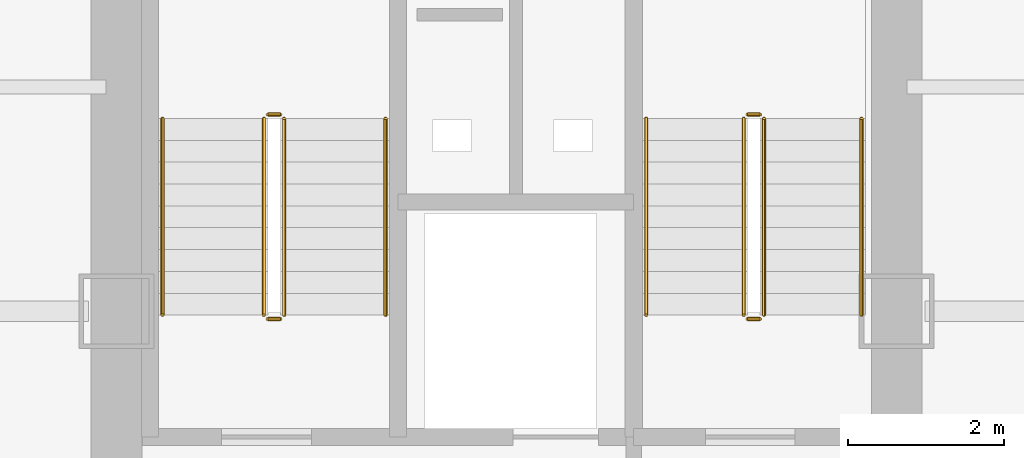
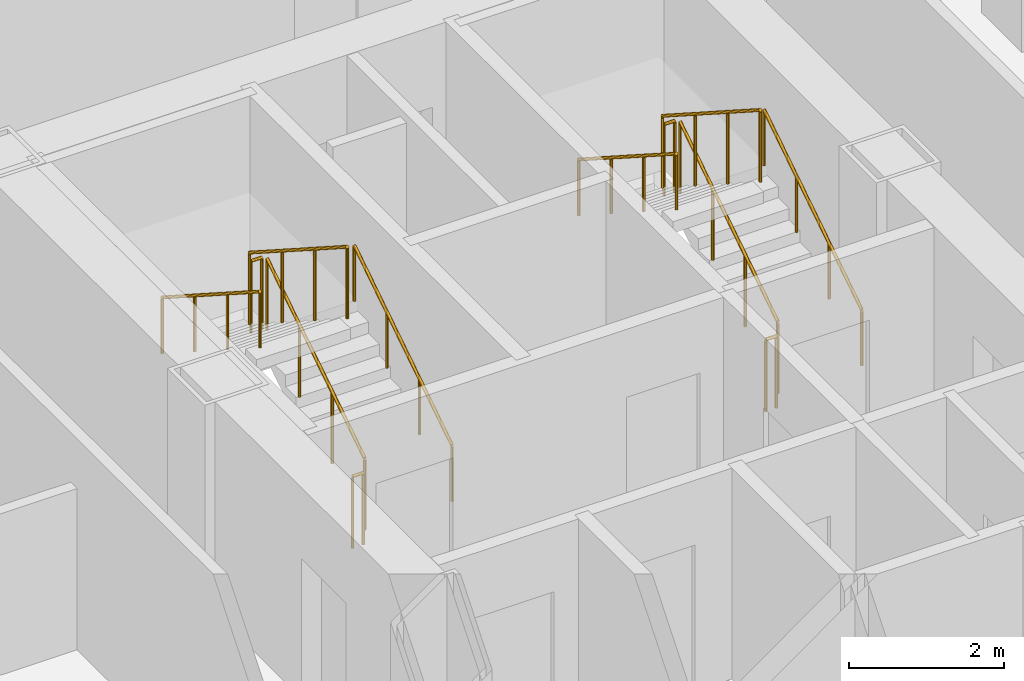
# One storey, part 21 of 22: 12 railings.
"""IFC4 building model written with IfcOpenShell, lengths in metres."""

import ifcopenshell
import ifcopenshell.guid

model = None  # the IFC model being written
_history = None  # IfcOwnerHistory: only IFC2X3 demands one
_inside = {}  # id of a spatial element -> (the spatial element, [elements in it])
_under = {}  # id of a project, library or spatial element -> (it, [spatial elements below it])
_declared = {}  # id of a project -> (the project, [libraries it declares])
_typed = {}  # id of a type object -> (the type object, [elements of that type])
_made_of = {}  # id of a material, layer set ... -> (it, [elements and type objects made of it])


def new_model(schema):
    """Start an empty IFC model of exactly this schema.

    Asked for "IFC4X3", IfcOpenShell would pick the latest addendum, in which some entities
    have other attributes; the version numbers below select the first issue.
    IFC2X3 requires an IfcOwnerHistory on every rooted entity: one is made here for all.
    """
    global model, _history
    if schema == "IFC4X3":
        model = ifcopenshell.file(schema_version=(4, 3, 0, 0))
    else:
        model = ifcopenshell.file(schema=schema)
    _inside.clear()
    _under.clear()
    _declared.clear()
    _typed.clear()
    _made_of.clear()
    _history = None
    if model.schema == "IFC2X3":
        org = make("IfcOrganization", Name="unknown")
        user = make(
            "IfcPersonAndOrganization",
            ThePerson=make("IfcPerson", FamilyName="unknown"),
            TheOrganization=org,
        )
        app = make(
            "IfcApplication",
            ApplicationDeveloper=org,
            Version="unknown",
            ApplicationFullName="unknown",
            ApplicationIdentifier="unknown",
        )
        _history = make(
            "IfcOwnerHistory",
            OwningUser=user,
            OwningApplication=app,
            ChangeAction="ADDED",
            CreationDate=0,
        )
    return model


def make(cls, **values):
    """One entity of the class cls with the attributes given. An attribute that is None is left unset."""
    return model.create_entity(
        cls, **{name: value for name, value in values.items() if value is not None}
    )


def rooted(cls, **values):
    """An entity with a GlobalId (a new one), such as an element, a storey or a relation."""
    return make(cls, GlobalId=ifcopenshell.guid.new(), OwnerHistory=_history, **values)


def si_unit(unit_type, name, prefix=None):
    """IfcSIUnit, for example si_unit("LENGTHUNIT", "METRE", prefix="MILLI")."""
    return make("IfcSIUnit", UnitType=unit_type, Prefix=prefix, Name=name)


def assignment(units):
    """IfcUnitAssignment: the units of a project."""
    return None if units is None else make("IfcUnitAssignment", Units=units)


def point(xyz):
    """IfcCartesianPoint."""
    return None if xyz is None else make("IfcCartesianPoint", Coordinates=xyz)


def direction(xyz):
    """IfcDirection."""
    return None if xyz is None else make("IfcDirection", DirectionRatios=xyz)


def frame(location, z_axis=None, x_axis=None):
    """IfcAxis2Placement3D, a coordinate frame: its origin and axes. An axis left out is left unset."""
    return make(
        "IfcAxis2Placement3D",
        Location=point(location),
        Axis=direction(z_axis),
        RefDirection=direction(x_axis),
    )


def frame_2d(location, x_axis=None):
    """IfcAxis2Placement2D, a coordinate frame in the plane: its origin and x axis."""
    return make(
        "IfcAxis2Placement2D", Location=point(location), RefDirection=direction(x_axis)
    )


def origin():
    """The frame at (0, 0, 0) with its axes left unset."""
    return frame((0.0, 0.0, 0.0))


def origin_2d():
    """The frame at (0, 0) in the plane with its x axis left unset."""
    return frame_2d((0.0, 0.0))


def place(relative_to, where):
    """IfcLocalPlacement: puts the frame where relative to a parent placement (None: the world)."""
    return make(
        "IfcLocalPlacement", PlacementRelTo=relative_to, RelativePlacement=where
    )


def context(
    kind, dimensions, precision=None, world=None, true_north=None, identifier=None
):
    """IfcGeometricRepresentationContext, for example the 3D "Model" context."""
    return make(
        "IfcGeometricRepresentationContext",
        ContextIdentifier=identifier,
        ContextType=kind,
        CoordinateSpaceDimension=dimensions,
        Precision=precision,
        WorldCoordinateSystem=world,
        TrueNorth=true_north,
    )


def subcontext(parent, identifier, kind, view, scale=None):
    """IfcGeometricRepresentationSubContext, for example "Body" below "Model"."""
    return make(
        "IfcGeometricRepresentationSubContext",
        ContextIdentifier=identifier,
        ContextType=kind,
        ParentContext=parent,
        TargetScale=scale,
        TargetView=view,
    )


def project(units=None, contexts=None):
    """IfcProject with its units and contexts."""
    return rooted(
        "IfcProject",
        Name="project",
        RepresentationContexts=contexts,
        UnitsInContext=assignment(units),
    )


def spatial(cls, under=None, at=None, **own):
    """A site, building, storey or space (cls), placed at a placement, below another one or the project."""
    s = rooted(cls, ObjectPlacement=at, **own)
    if under is not None:
        _under.setdefault(under.id(), (under, []))[1].append(s)
    return s


def profile(cls, at=None, kind="AREA", **sizes):
    """A parametric profile (cls). Its sizes go by their IFC names, for example OverallWidth=200.0."""
    return make(cls, ProfileType=kind, Position=at, **sizes)


def circle(**sizes):
    """IfcCircleProfileDef."""
    return profile("IfcCircleProfileDef", **sizes)


def extrude(swept, where, along, depth):
    """IfcExtrudedAreaSolid: the profile swept, set in the frame where, extruded along a direction by depth."""
    return make(
        "IfcExtrudedAreaSolid",
        SweptArea=swept,
        Position=where,
        ExtrudedDirection=direction(along),
        Depth=depth,
    )


def shape(context_of_items, identifier, shape_type, items):
    """IfcShapeRepresentation: the items that make up one representation, for example the "Body"."""
    return make(
        "IfcShapeRepresentation",
        ContextOfItems=context_of_items,
        RepresentationIdentifier=identifier,
        RepresentationType=shape_type,
        Items=items,
    )


def material(Name=None, Category=None):
    """IfcMaterial."""
    return make("IfcMaterial", Name=Name, Category=Category)


def made_of(thing, what):
    """Note that an element or type object is made of a material, layer set ...; save() writes the relation."""
    if what is not None:
        _made_of.setdefault(what.id(), (what, []))[1].append(thing)
    return thing


def type_object(cls, material=None, **own):
    """A type object (cls), such as IfcWallType, which elements share."""
    return made_of(rooted(cls, **own), material)


def element(
    cls,
    number,
    at=None,
    inside=None,
    cuts=None,
    type_object=None,
    material=None,
    context=None,
    identifier="Body",
    shape_type=None,
    held_by="IfcProductDefinitionShape",
    body=None,
    shapes=None,
    **own,
):
    """One element of the class cls, such as IfcWall. Its Tag is "e" and its number.

    at: its placement. inside: the storey or other place that contains it. cuts: it is an
    opening in that element (IfcRelVoidsElement). A single representation is given by context,
    identifier, shape_type and body (its items); several are given by shapes. held_by: the class
    of the entity that holds the representations. save() writes the other relations.
    """
    e = rooted(cls, Tag="e%d" % number, ObjectPlacement=at, **own)
    if body is not None:
        shapes = [shape(context, identifier, shape_type, body)]
    if shapes is not None:
        e.Representation = make(held_by, Representations=shapes)
    if inside is not None:
        _inside.setdefault(inside.id(), (inside, []))[1].append(e)
    if cuts is not None:
        rooted(
            "IfcRelVoidsElement", RelatingBuildingElement=cuts, RelatedOpeningElement=e
        )
    if type_object is not None:
        _typed.setdefault(type_object.id(), (type_object, []))[1].append(e)
    return made_of(e, material)


def aggregate(whole, parts):
    """IfcRelAggregates: a whole, such as a stair, and the parts it consists of."""
    return rooted("IfcRelAggregates", RelatingObject=whole, RelatedObjects=parts)


def save(model, path):
    """Write the relations noted so far, then the file.

    IfcRelAggregates (storeys below a building ...), IfcRelContainedInSpatialStructure (elements
    in a storey), IfcRelDefinesByType, IfcRelAssociatesMaterial and IfcRelDeclares: one each for
    every whole, place, type object, material and project.
    """
    for whole, parts in _under.values():
        aggregate(whole, parts)
    for where, things in _inside.values():
        rooted(
            "IfcRelContainedInSpatialStructure",
            RelatedElements=things,
            RelatingStructure=where,
        )
    for kind, things in _typed.values():
        rooted("IfcRelDefinesByType", RelatedObjects=things, RelatingType=kind)
    for what, things in _made_of.values():
        rooted("IfcRelAssociatesMaterial", RelatedObjects=things, RelatingMaterial=what)
    for by, libraries in _declared.values():
        rooted("IfcRelDeclares", RelatingContext=by, RelatedDefinitions=libraries)
    model.write(path)


model = new_model("IFC4")

# Units and contexts
model_context = context("Model", 3, precision=1e-05, world=origin(), true_north=direction((0.0, 1.0)))
body_context = subcontext(model_context, "Body", "Model", "MODEL_VIEW")
ifc_project = project(units=[si_unit("LENGTHUNIT", "METRE"), si_unit("AREAUNIT", "SQUARE_METRE"), si_unit("VOLUMEUNIT", "CUBIC_METRE"), si_unit("PLANEANGLEUNIT", "RADIAN"), si_unit("MASSUNIT", "GRAM", prefix="KILO")], contexts=[model_context])

# Site, building, storey
site_placement = place(None, origin())
site = spatial("IfcSite", under=ifc_project, at=site_placement, CompositionType="ELEMENT")
building_placement = place(site_placement, origin())
building = spatial("IfcBuilding", under=site, at=building_placement, Name="Kolveth Station Tower", CompositionType="ELEMENT")
storey_placement = place(building_placement, frame((0.0, 0.0, 81.0)))
storey = spatial("IfcBuildingStorey", under=building, at=storey_placement, Name="L21", CompositionType="ELEMENT", Elevation=81.0)

# Railings
ifc_material_1 = material(Name="Painted Steel S355 balustrade", Category="steel")
railing_type_1 = type_object("IfcRailingType", Name="Guard_GR2", PredefinedType="BALUSTRADE", material=ifc_material_1)
railing_1_placement = place(storey_placement, frame((20.64990234375, 22.949951171875, 0.179931640625)))
element("IfcRailing", 1, at=railing_1_placement, inside=storey, type_object=railing_type_1, Name="L21 ST1 stair guard 1", PredefinedType="BALUSTRADE", context=body_context, shape_type="SweptSolid", body=[
    extrude(circle(Radius=0.02392578125, at=origin_2d()), frame((0.0, 0.0, 1.1259765625), z_axis=(0.0, 0.841162588446, 0.540782303519), x_axis=(-1.0, 0.0, 0.0)), (0.0, 0.0, 1.0), 2.995849609375),
    extrude(circle(Radius=0.02099609375, at=origin_2d()), origin(), (0.0, 0.0, 1.0), 1.101806640625),
    extrude(circle(Radius=0.02099609375, at=origin_2d()), frame((0.0, 0.840087890625, 0.5400390625)), (0.0, 0.0, 1.0), 1.101806640625),
    extrude(circle(Radius=0.02099609375, at=origin_2d()), frame((0.0, 1.679931640625, 1.080078125)), (0.0, 0.0, 1.0), 1.101806640625),
    extrude(circle(Radius=0.02099609375, at=origin_2d()), frame((0.0, 2.52001953125, 1.6201171875)), (0.0, 0.0, 1.0), 1.101806640625),
])
railing_2_placement = place(storey_placement, frame((20.60009765625, 25.52001953125, 1.800048828125)))
element("IfcRailing", 2, at=railing_2_placement, inside=storey, type_object=railing_type_1, Name="L21 ST1 stair guard 2", PredefinedType="BALUSTRADE", context=body_context, shape_type="SweptSolid", body=[
    extrude(circle(Radius=0.02392578125, at=origin_2d()), frame((0.0, 0.0, 1.1259765625), z_axis=(-1.0, 0.0, 0.0), x_axis=(0.0, -1.0, 0.0)), (0.0, 0.0, 1.0), 0.16015625),
    extrude(circle(Radius=0.02099609375, at=origin_2d()), origin(), (0.0, 0.0, 1.0), 1.101806640625),
    extrude(circle(Radius=0.02099609375, at=origin_2d()), frame((-0.16015625, 0.0, 0.0)), (0.0, 0.0, 1.0), 1.101806640625),
])
railing_3_placement = place(storey_placement, frame((20.389892578125, 25.469970703125, 1.97998046875)))
element("IfcRailing", 3, at=railing_3_placement, inside=storey, type_object=railing_type_1, Name="L21 ST1 stair guard 3", PredefinedType="BALUSTRADE", context=body_context, shape_type="SweptSolid", body=[
    extrude(circle(Radius=0.02392578125, at=origin_2d()), frame((0.0, 0.0, 1.1259765625), z_axis=(0.0, -0.841162588446, 0.540782303519), x_axis=(1.0, 0.0, 0.0)), (0.0, 0.0, 1.0), 2.995849609375),
    extrude(circle(Radius=0.02099609375, at=origin_2d()), origin(), (0.0, 0.0, 1.0), 1.101806640625),
    extrude(circle(Radius=0.02099609375, at=origin_2d()), frame((0.0, -0.840087890625, 0.5400390625)), (0.0, 0.0, 1.0), 1.101806640625),
    extrude(circle(Radius=0.02099609375, at=origin_2d()), frame((0.0, -1.679931640625, 1.080078125)), (0.0, 0.0, 1.0), 1.101806640625),
    extrude(circle(Radius=0.02099609375, at=origin_2d()), frame((0.0, -2.52001953125, 1.6201171875)), (0.0, 0.0, 1.0), 1.101806640625),
])
railing_4_placement = place(storey_placement, frame((20.60009765625, 22.89990234375, 0.0)))
element("IfcRailing", 4, at=railing_4_placement, inside=storey, type_object=railing_type_1, Name="L21 ST1 stair guard 4", PredefinedType="BALUSTRADE", context=body_context, shape_type="SweptSolid", body=[
    extrude(circle(Radius=0.02392578125, at=origin_2d()), frame((0.0, 0.0, 1.1259765625), z_axis=(-1.0, 0.0, 0.0), x_axis=(0.0, -1.0, 0.0)), (0.0, 0.0, 1.0), 0.16015625),
    extrude(circle(Radius=0.02099609375, at=origin_2d()), origin(), (0.0, 0.0, 1.0), 1.101806640625),
    extrude(circle(Radius=0.02099609375, at=origin_2d()), frame((-0.16015625, 0.0, 0.0)), (0.0, 0.0, 1.0), 1.101806640625),
])
railing_5_placement = place(storey_placement, frame((26.800048828125, 22.949951171875, 0.179931640625)))
element("IfcRailing", 5, at=railing_5_placement, inside=storey, type_object=railing_type_1, Name="L21 ST2 stair guard 1", PredefinedType="BALUSTRADE", context=body_context, shape_type="SweptSolid", body=[
    extrude(circle(Radius=0.02392578125, at=origin_2d()), frame((0.0, 0.0, 1.1259765625), z_axis=(0.0, 0.841162588446, 0.540782303519), x_axis=(-1.0, 0.0, 0.0)), (0.0, 0.0, 1.0), 2.995849609375),
    extrude(circle(Radius=0.02099609375, at=origin_2d()), origin(), (0.0, 0.0, 1.0), 1.101806640625),
    extrude(circle(Radius=0.02099609375, at=origin_2d()), frame((0.0, 0.840087890625, 0.5400390625)), (0.0, 0.0, 1.0), 1.101806640625),
    extrude(circle(Radius=0.02099609375, at=origin_2d()), frame((0.0, 1.679931640625, 1.080078125)), (0.0, 0.0, 1.0), 1.101806640625),
    extrude(circle(Radius=0.02099609375, at=origin_2d()), frame((0.0, 2.52001953125, 1.6201171875)), (0.0, 0.0, 1.0), 1.101806640625),
])
railing_6_placement = place(storey_placement, frame((26.75, 25.52001953125, 1.800048828125)))
element("IfcRailing", 6, at=railing_6_placement, inside=storey, type_object=railing_type_1, Name="L21 ST2 stair guard 2", PredefinedType="BALUSTRADE", context=body_context, shape_type="SweptSolid", body=[
    extrude(circle(Radius=0.02392578125, at=origin_2d()), frame((0.0, 0.0, 1.1259765625), z_axis=(-1.0, 0.0, 0.0), x_axis=(0.0, -1.0, 0.0)), (0.0, 0.0, 1.0), 0.159912109375),
    extrude(circle(Radius=0.02099609375, at=origin_2d()), origin(), (0.0, 0.0, 1.0), 1.101806640625),
    extrude(circle(Radius=0.02099609375, at=origin_2d()), frame((-0.159912109375, 0.0, 0.0)), (0.0, 0.0, 1.0), 1.101806640625),
])
railing_7_placement = place(storey_placement, frame((26.5400390625, 25.469970703125, 1.97998046875)))
element("IfcRailing", 7, at=railing_7_placement, inside=storey, type_object=railing_type_1, Name="L21 ST2 stair guard 3", PredefinedType="BALUSTRADE", context=body_context, shape_type="SweptSolid", body=[
    extrude(circle(Radius=0.02392578125, at=origin_2d()), frame((0.0, 0.0, 1.1259765625), z_axis=(0.0, -0.841162588446, 0.540782303519), x_axis=(1.0, 0.0, 0.0)), (0.0, 0.0, 1.0), 2.995849609375),
    extrude(circle(Radius=0.02099609375, at=origin_2d()), origin(), (0.0, 0.0, 1.0), 1.101806640625),
    extrude(circle(Radius=0.02099609375, at=origin_2d()), frame((0.0, -0.840087890625, 0.5400390625)), (0.0, 0.0, 1.0), 1.101806640625),
    extrude(circle(Radius=0.02099609375, at=origin_2d()), frame((0.0, -1.679931640625, 1.080078125)), (0.0, 0.0, 1.0), 1.101806640625),
    extrude(circle(Radius=0.02099609375, at=origin_2d()), frame((0.0, -2.52001953125, 1.6201171875)), (0.0, 0.0, 1.0), 1.101806640625),
])
railing_8_placement = place(storey_placement, frame((26.75, 22.89990234375, 0.0)))
element("IfcRailing", 8, at=railing_8_placement, inside=storey, type_object=railing_type_1, Name="L21 ST2 stair guard 4", PredefinedType="BALUSTRADE", context=body_context, shape_type="SweptSolid", body=[
    extrude(circle(Radius=0.02392578125, at=origin_2d()), frame((0.0, 0.0, 1.1259765625), z_axis=(-1.0, 0.0, 0.0), x_axis=(0.0, -1.0, 0.0)), (0.0, 0.0, 1.0), 0.159912109375),
    extrude(circle(Radius=0.02099609375, at=origin_2d()), origin(), (0.0, 0.0, 1.0), 1.101806640625),
    extrude(circle(Radius=0.02099609375, at=origin_2d()), frame((-0.159912109375, 0.0, 0.0)), (0.0, 0.0, 1.0), 1.101806640625),
])
ifc_material_2 = material(Name="Brushed stainless steel", Category="steel")
railing_type_2 = type_object("IfcRailingType", Name="Handrail_HR1", PredefinedType="HANDRAIL", material=ifc_material_2)
railing_9_placement = place(storey_placement, frame((21.949951171875, 22.949951171875, 0.179931640625)))
element("IfcRailing", 9, at=railing_9_placement, inside=storey, type_object=railing_type_2, Name="L21 ST1 stair handrail 1", PredefinedType="HANDRAIL", context=body_context, shape_type="SweptSolid", body=[
    extrude(circle(Radius=0.02392578125, at=origin_2d()), frame((0.0, 0.0, 0.8759765625), z_axis=(0.0, 0.841162588446, 0.540782303519), x_axis=(-1.0, 0.0, 0.0)), (0.0, 0.0, 1.0), 2.995849609375),
    extrude(circle(Radius=0.02099609375, at=origin_2d()), origin(), (0.0, 0.0, 1.0), 0.851806640625),
    extrude(circle(Radius=0.02099609375, at=origin_2d()), frame((0.0, 0.840087890625, 0.5400390625)), (0.0, 0.0, 1.0), 0.851806640625),
    extrude(circle(Radius=0.02099609375, at=origin_2d()), frame((0.0, 1.679931640625, 1.080078125)), (0.0, 0.0, 1.0), 0.851806640625),
    extrude(circle(Radius=0.02099609375, at=origin_2d()), frame((0.0, 2.52001953125, 1.6201171875)), (0.0, 0.0, 1.0), 0.851806640625),
])
railing_10_placement = place(storey_placement, frame((19.090087890625, 25.469970703125, 1.97998046875)))
element("IfcRailing", 10, at=railing_10_placement, inside=storey, type_object=railing_type_2, Name="L21 ST1 stair handrail 2", PredefinedType="HANDRAIL", context=body_context, shape_type="SweptSolid", body=[
    extrude(circle(Radius=0.02392578125, at=origin_2d()), frame((0.0, 0.0, 0.8759765625), z_axis=(0.0, -0.841162588446, 0.540782303519), x_axis=(1.0, 0.0, 0.0)), (0.0, 0.0, 1.0), 2.995849609375),
    extrude(circle(Radius=0.02099609375, at=origin_2d()), origin(), (0.0, 0.0, 1.0), 0.851806640625),
    extrude(circle(Radius=0.02099609375, at=origin_2d()), frame((0.0, -0.840087890625, 0.5400390625)), (0.0, 0.0, 1.0), 0.851806640625),
    extrude(circle(Radius=0.02099609375, at=origin_2d()), frame((0.0, -1.679931640625, 1.080078125)), (0.0, 0.0, 1.0), 0.851806640625),
    extrude(circle(Radius=0.02099609375, at=origin_2d()), frame((0.0, -2.52001953125, 1.6201171875)), (0.0, 0.0, 1.0), 0.851806640625),
])
railing_11_placement = place(storey_placement, frame((28.050048828125, 22.949951171875, 0.179931640625)))
element("IfcRailing", 11, at=railing_11_placement, inside=storey, type_object=railing_type_2, Name="L21 ST2 stair handrail 1", PredefinedType="HANDRAIL", context=body_context, shape_type="SweptSolid", body=[
    extrude(circle(Radius=0.02392578125, at=origin_2d()), frame((0.0, 0.0, 0.8759765625), z_axis=(0.0, 0.841162588446, 0.540782303519), x_axis=(-1.0, 0.0, 0.0)), (0.0, 0.0, 1.0), 2.995849609375),
    extrude(circle(Radius=0.02099609375, at=origin_2d()), origin(), (0.0, 0.0, 1.0), 0.851806640625),
    extrude(circle(Radius=0.02099609375, at=origin_2d()), frame((0.0, 0.840087890625, 0.5400390625)), (0.0, 0.0, 1.0), 0.851806640625),
    extrude(circle(Radius=0.02099609375, at=origin_2d()), frame((0.0, 1.679931640625, 1.080078125)), (0.0, 0.0, 1.0), 0.851806640625),
    extrude(circle(Radius=0.02099609375, at=origin_2d()), frame((0.0, 2.52001953125, 1.6201171875)), (0.0, 0.0, 1.0), 0.851806640625),
])
railing_12_placement = place(storey_placement, frame((25.2900390625, 25.469970703125, 1.97998046875)))
element("IfcRailing", 12, at=railing_12_placement, inside=storey, type_object=railing_type_2, Name="L21 ST2 stair handrail 2", PredefinedType="HANDRAIL", context=body_context, shape_type="SweptSolid", body=[
    extrude(circle(Radius=0.02392578125, at=origin_2d()), frame((0.0, 0.0, 0.8759765625), z_axis=(0.0, -0.841162588446, 0.540782303519), x_axis=(1.0, 0.0, 0.0)), (0.0, 0.0, 1.0), 2.995849609375),
    extrude(circle(Radius=0.02099609375, at=origin_2d()), origin(), (0.0, 0.0, 1.0), 0.851806640625),
    extrude(circle(Radius=0.02099609375, at=origin_2d()), frame((0.0, -0.840087890625, 0.5400390625)), (0.0, 0.0, 1.0), 0.851806640625),
    extrude(circle(Radius=0.02099609375, at=origin_2d()), frame((0.0, -1.679931640625, 1.080078125)), (0.0, 0.0, 1.0), 0.851806640625),
    extrude(circle(Radius=0.02099609375, at=origin_2d()), frame((0.0, -2.52001953125, 1.6201171875)), (0.0, 0.0, 1.0), 0.851806640625),
])

save(model, "model.ifc")
